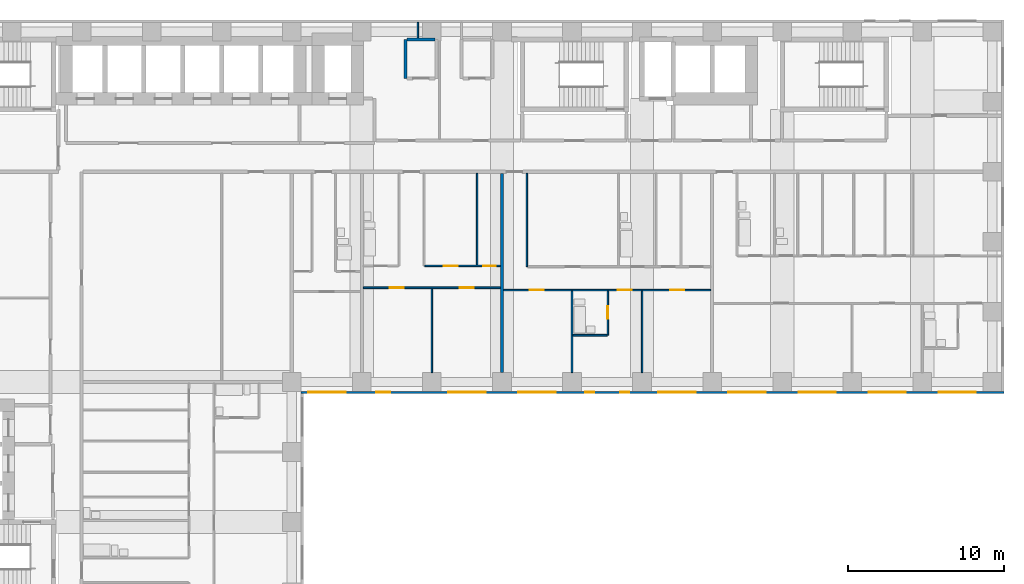
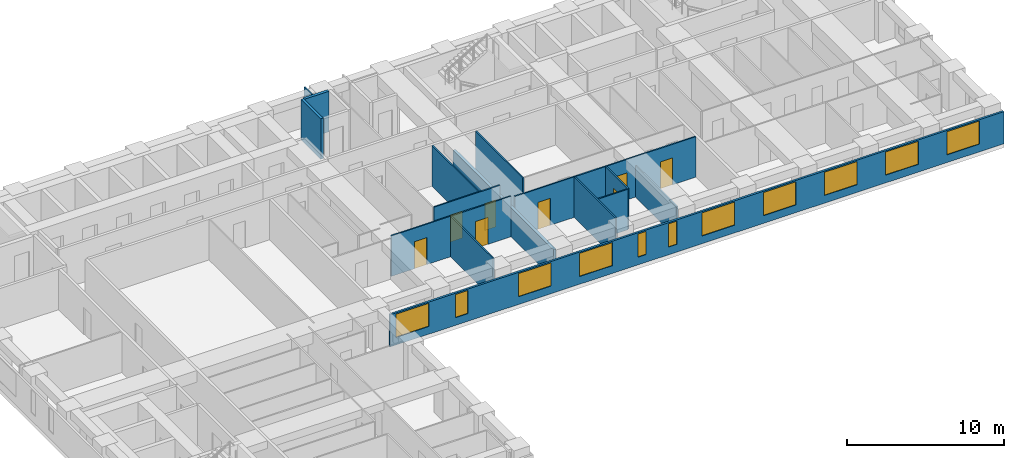
# One storey, part 6 of 13: 15 walls, 11 windows, 8 doors, 19 openings.
"""IFC4 building model written with IfcOpenShell, lengths in metres."""

from ifc_helpers import new_model, si_unit, direction, frame, frame_2d, origin, place, context, subcontext, project, spatial, rectangle, extrude, material, layer, layer_set, type_object, element, fill, save


model = new_model("IFC4")

# Units and contexts
model_context = context("Model", 3, precision=1e-05, world=origin(), true_north=direction((0.0, 1.0)))
body_context = subcontext(model_context, "Body", "Model", "MODEL_VIEW")
ifc_project = project(units=[si_unit("LENGTHUNIT", "METRE"), si_unit("AREAUNIT", "SQUARE_METRE"), si_unit("VOLUMEUNIT", "CUBIC_METRE"), si_unit("PLANEANGLEUNIT", "RADIAN"), si_unit("MASSUNIT", "GRAM", prefix="KILO")], contexts=[model_context])

# Site, building, storey
site_placement = place(None, origin())
site = spatial("IfcSite", under=ifc_project, at=site_placement, CompositionType="ELEMENT")
building_placement = place(site_placement, origin())
building = spatial("IfcBuilding", under=site, at=building_placement, Name="Firuza Court", CompositionType="ELEMENT")
storey_placement = place(building_placement, frame((0.0, 0.0, 104.60009765625)))
storey = spatial("IfcBuildingStorey", under=building, at=storey_placement, Name="L26", CompositionType="ELEMENT", Elevation=104.60009765625)

# Wall
ifc_material_1 = material(Name="Moisture-resistant gypsum board partition")
ifc_layer_1 = layer(ifc_material_1, 0.10009765625)
ifc_layer_set_1 = layer_set([ifc_layer_1], Name="Moisture-resistant gypsum board partition")
wall_type_1 = type_object("IfcWallType", Name="Bathroom partition 100", PredefinedType="PLUMBINGWALL", material=ifc_layer_set_1)
wall_1_placement = place(storey_placement, frame((40.550048828125, 39.0, 0.0), z_axis=(0.0, 0.0, 1.0), x_axis=(1.0, 0.0, 0.0)))
element("IfcWall", 1, at=wall_1_placement, inside=storey, type_object=wall_type_1, Name="Bathroom partition 100 L26", PredefinedType="PLUMBINGWALL", context=body_context, shape_type="SweptSolid", body=[
    extrude(rectangle(XDim=2.199951171875, YDim=0.10009765625, at=frame_2d((1.10009765625, 0.0))), origin(), (0.0, 0.0, 1.0), 3.14990234375),
])

# Wall, opening, door
wall_2_placement = place(storey_placement, frame((42.800048828125, 39.0, 0.0), z_axis=(0.0, 0.0, 1.0), x_axis=(0.0, 1.0, 0.0)))
wall_2 = element("IfcWall", 2, at=wall_2_placement, inside=storey, type_object=wall_type_1, Name="Bathroom partition 100 L26", PredefinedType="PLUMBINGWALL", context=body_context, shape_type="SweptSolid", body=[
    extrude(rectangle(XDim=2.85009765625, YDim=0.10009765625, at=frame_2d((1.425048828125, 0.0))), origin(), (0.0, 0.0, 1.0), 3.14990234375),
])
opening_1_placement = place(wall_2_placement, frame((1.050048828125, 0.0, 0.0)))
opening_1 = element("IfcOpeningElement", 3, at=opening_1_placement, cuts=wall_2, Name="Opening D26043", PredefinedType="OPENING", context=body_context, shape_type="SweptSolid", body=[
    extrude(rectangle(XDim=0.800048828125, YDim=2.10009765625, at=frame_2d((0.39990234375, 1.050048828125))), frame((0.0, 0.06201171875, 0.0), z_axis=(0.0, -1.0, 0.0), x_axis=(1.0, 0.0, 0.0)), (0.0, 0.0, 1.0), 0.1240234375),
])
ifc_material_2 = material(Name="Timber door leaf in hardwood frame", Category="wood")
door_type_1 = type_object("IfcDoorType", Name="Bathroom door 800", OperationType="SINGLE_SWING_LEFT", PredefinedType="DOOR", material=ifc_material_2)
door_1_placement = place(opening_1_placement, origin())
door_1 = element("IfcDoor", 4, at=door_1_placement, inside=storey, type_object=door_type_1, Name="En-suite door", OperationType="SINGLE_SWING_LEFT", OverallHeight=2.10009765625, OverallWidth=0.800048828125, PredefinedType="DOOR", context=body_context, shape_type="SweptSolid", body=[
    extrude(rectangle(XDim=0.800048828125, YDim=2.10009765625, at=frame_2d((0.39990234375, 1.050048828125))), frame((0.0, 0.02490234375, 0.0), z_axis=(0.0, -1.0, 0.0), x_axis=(1.0, 0.0, 0.0)), (0.0, 0.0, 1.0), 0.050048828125),
])
fill(opening_1, door_1)

# Walls
ifc_material_3 = material(Name="Timber stud partition, plasterboard both sides", Category="wood")
ifc_layer_2 = layer(ifc_material_3, 0.10009765625)
ifc_layer_set_2 = layer_set([ifc_layer_2], Name="Timber stud partition, plasterboard both sides")
wall_type_2 = type_object("IfcWallType", Name="Partition wall 100", PredefinedType="PARTITIONING", material=ifc_layer_set_2)
wall_3_placement = place(storey_placement, frame((31.5, 36.60009765625, 0.0), z_axis=(0.0, 0.0, 1.0), x_axis=(0.0, 1.0, 0.0)))
element("IfcWall", 5, at=wall_3_placement, inside=storey, type_object=wall_type_2, Name="Partition wall 100 L26", PredefinedType="PARTITIONING", context=body_context, shape_type="SweptSolid", body=[
    extrude(rectangle(XDim=5.39990234375, YDim=0.10009765625, at=frame_2d((2.699951171875, 0.0))), origin(), (0.0, 0.0, 1.0), 3.14990234375),
])
wall_4_placement = place(storey_placement, frame((40.5, 36.60009765625, 0.0), z_axis=(0.0, 0.0, 1.0), x_axis=(0.0, 1.0, 0.0)))
element("IfcWall", 6, at=wall_4_placement, inside=storey, type_object=wall_type_2, Name="Partition wall 100 L26", PredefinedType="PARTITIONING", context=body_context, shape_type="SweptSolid", body=[
    extrude(rectangle(XDim=5.25, YDim=0.10009765625, at=frame_2d((2.625, 0.0))), origin(), (0.0, 0.0, 1.0), 3.14990234375),
])
wall_5_placement = place(storey_placement, frame((45.0, 36.60009765625, 0.0), z_axis=(0.0, 0.0, 1.0), x_axis=(0.0, 1.0, 0.0)))
element("IfcWall", 7, at=wall_5_placement, inside=storey, type_object=wall_type_2, Name="Partition wall 100 L26", PredefinedType="PARTITIONING", context=body_context, shape_type="SweptSolid", body=[
    extrude(rectangle(XDim=5.25, YDim=0.10009765625, at=frame_2d((2.625, 0.0))), origin(), (0.0, 0.0, 1.0), 2.449951171875),
])

# Wall, openings, doors
wall_6_placement = place(storey_placement, frame((36.10009765625, 41.89990234375, 0.0), z_axis=(0.0, 0.0, 1.0), x_axis=(1.0, 0.0, 0.0)))
wall_6 = element("IfcWall", 8, at=wall_6_placement, inside=storey, type_object=wall_type_2, Name="Partition wall 100 L26", PredefinedType="PARTITIONING", context=body_context, shape_type="SweptSolid", body=[
    extrude(rectangle(XDim=13.2998046875, YDim=0.10009765625, at=frame_2d((6.64990234375, 0.0))), origin(), (0.0, 0.0, 1.0), 3.14990234375),
])
opening_2_placement = place(wall_6_placement, frame((1.699951171875, 0.0, 0.0)))
opening_2 = element("IfcOpeningElement", 9, at=opening_2_placement, cuts=wall_6, Name="Opening D26048", PredefinedType="OPENING", context=body_context, shape_type="SweptSolid", body=[
    extrude(rectangle(XDim=0.89990234375, YDim=2.10009765625, at=frame_2d((0.449951171875, 1.050048828125))), frame((0.0, 0.06201171875, 0.0), z_axis=(0.0, -1.0, 0.0), x_axis=(1.0, 0.0, 0.0)), (0.0, 0.0, 1.0), 0.1240234375),
])
opening_3_placement = place(wall_6_placement, frame((7.35009765625, 0.0, 0.0)))
opening_3 = element("IfcOpeningElement", 10, at=opening_3_placement, cuts=wall_6, Name="Opening D26049", PredefinedType="OPENING", context=body_context, shape_type="SweptSolid", body=[
    extrude(rectangle(XDim=0.89990234375, YDim=2.10009765625, at=frame_2d((0.449951171875, 1.050048828125))), frame((0.0, 0.06201171875, 0.0), z_axis=(0.0, -1.0, 0.0), x_axis=(1.0, 0.0, 0.0)), (0.0, 0.0, 1.0), 0.1240234375),
])
opening_4_placement = place(wall_6_placement, frame((10.699951171875, 0.0, 0.0)))
opening_4 = element("IfcOpeningElement", 11, at=opening_4_placement, cuts=wall_6, Name="Opening D26050", PredefinedType="OPENING", context=body_context, shape_type="SweptSolid", body=[
    extrude(rectangle(XDim=0.89990234375, YDim=2.10009765625, at=frame_2d((0.449951171875, 1.050048828125))), frame((0.0, 0.06201171875, 0.0), z_axis=(0.0, -1.0, 0.0), x_axis=(1.0, 0.0, 0.0)), (0.0, 0.0, 1.0), 0.1240234375),
])
ifc_material_4 = material(Name="Timber door leaf in hardwood frame", Category="wood")
door_type_2 = type_object("IfcDoorType", Name="Room door 900", OperationType="SINGLE_SWING_LEFT", PredefinedType="DOOR", material=ifc_material_4)
door_2_placement = place(opening_2_placement, frame((0.89990234375, 0.0, 0.0), z_axis=(0.0, 0.0, 1.0), x_axis=(-1.0, 0.0, 0.0)))
door_2 = element("IfcDoor", 12, at=door_2_placement, inside=storey, type_object=door_type_2, Name="Living room door", OperationType="SINGLE_SWING_RIGHT", OverallHeight=2.10009765625, OverallWidth=0.89990234375, PredefinedType="DOOR", context=body_context, shape_type="SweptSolid", body=[
    extrude(rectangle(XDim=0.89990234375, YDim=2.10009765625, at=frame_2d((0.449951171875, 1.050048828125))), frame((0.0, 0.02490234375, 0.0), z_axis=(0.0, -1.0, 0.0), x_axis=(1.0, 0.0, 0.0)), (0.0, 0.0, 1.0), 0.050048828125),
])
fill(opening_2, door_2)
door_3_placement = place(opening_3_placement, frame((0.89990234375, 0.0, 0.0), z_axis=(0.0, 0.0, 1.0), x_axis=(-1.0, 0.0, 0.0)))
door_3 = element("IfcDoor", 13, at=door_3_placement, inside=storey, type_object=door_type_2, Name="Bedroom door", OperationType="SINGLE_SWING_LEFT", OverallHeight=2.10009765625, OverallWidth=0.89990234375, PredefinedType="DOOR", context=body_context, shape_type="SweptSolid", body=[
    extrude(rectangle(XDim=0.89990234375, YDim=2.10009765625, at=frame_2d((0.449951171875, 1.050048828125))), frame((0.0, 0.02490234375, 0.0), z_axis=(0.0, -1.0, 0.0), x_axis=(1.0, 0.0, 0.0)), (0.0, 0.0, 1.0), 0.050048828125),
])
fill(opening_3, door_3)
door_4_placement = place(opening_4_placement, frame((0.89990234375, 0.0, 0.0), z_axis=(0.0, 0.0, 1.0), x_axis=(-1.0, 0.0, 0.0)))
door_4 = element("IfcDoor", 14, at=door_4_placement, inside=storey, type_object=door_type_2, Name="Bedroom door", OperationType="SINGLE_SWING_RIGHT", OverallHeight=2.10009765625, OverallWidth=0.89990234375, PredefinedType="DOOR", context=body_context, shape_type="SweptSolid", body=[
    extrude(rectangle(XDim=0.89990234375, YDim=2.10009765625, at=frame_2d((0.449951171875, 1.050048828125))), frame((0.0, 0.02490234375, 0.0), z_axis=(0.0, -1.0, 0.0), x_axis=(1.0, 0.0, 0.0)), (0.0, 0.0, 1.0), 0.050048828125),
])
fill(opening_4, door_4)

wall_7_placement = place(storey_placement, frame((27.10009765625, 42.050048828125, 0.0), z_axis=(0.0, 0.0, 1.0), x_axis=(1.0, 0.0, 0.0)))
wall_7 = element("IfcWall", 15, at=wall_7_placement, inside=storey, type_object=wall_type_2, Name="Partition wall 100 L26", PredefinedType="PARTITIONING", context=body_context, shape_type="SweptSolid", body=[
    extrude(rectangle(XDim=8.7998046875, YDim=0.10009765625, at=frame_2d((4.39990234375, 0.0))), origin(), (0.0, 0.0, 1.0), 3.14990234375),
])
opening_5_placement = place(wall_7_placement, frame((1.699951171875, 0.0, 0.0)))
opening_5 = element("IfcOpeningElement", 16, at=opening_5_placement, cuts=wall_7, Name="Opening D26051", PredefinedType="OPENING", context=body_context, shape_type="SweptSolid", body=[
    extrude(rectangle(XDim=0.89990234375, YDim=2.10009765625, at=frame_2d((0.449951171875, 1.050048828125))), frame((0.0, 0.06201171875, 0.0), z_axis=(0.0, -1.0, 0.0), x_axis=(1.0, 0.0, 0.0)), (0.0, 0.0, 1.0), 0.1240234375),
])
opening_6_placement = place(wall_7_placement, frame((6.199951171875, 0.0, 0.0)))
opening_6 = element("IfcOpeningElement", 17, at=opening_6_placement, cuts=wall_7, Name="Opening D26052", PredefinedType="OPENING", context=body_context, shape_type="SweptSolid", body=[
    extrude(rectangle(XDim=0.89990234375, YDim=2.10009765625, at=frame_2d((0.449951171875, 1.050048828125))), frame((0.0, 0.06201171875, 0.0), z_axis=(0.0, -1.0, 0.0), x_axis=(1.0, 0.0, 0.0)), (0.0, 0.0, 1.0), 0.1240234375),
])
door_5_placement = place(opening_5_placement, frame((0.89990234375, 0.0, 0.0), z_axis=(0.0, 0.0, 1.0), x_axis=(-1.0, 0.0, 0.0)))
door_5 = element("IfcDoor", 18, at=door_5_placement, inside=storey, type_object=door_type_2, Name="Bedroom door", OperationType="SINGLE_SWING_RIGHT", OverallHeight=2.10009765625, OverallWidth=0.89990234375, PredefinedType="DOOR", context=body_context, shape_type="SweptSolid", body=[
    extrude(rectangle(XDim=0.89990234375, YDim=2.10009765625, at=frame_2d((0.449951171875, 1.050048828125))), frame((0.0, 0.02490234375, 0.0), z_axis=(0.0, -1.0, 0.0), x_axis=(1.0, 0.0, 0.0)), (0.0, 0.0, 1.0), 0.050048828125),
])
fill(opening_5, door_5)
door_6_placement = place(opening_6_placement, frame((0.89990234375, 0.0, 0.0), z_axis=(0.0, 0.0, 1.0), x_axis=(-1.0, 0.0, 0.0)))
door_6 = element("IfcDoor", 19, at=door_6_placement, inside=storey, type_object=door_type_2, Name="Living room door", OperationType="SINGLE_SWING_RIGHT", OverallHeight=2.10009765625, OverallWidth=0.89990234375, PredefinedType="DOOR", context=body_context, shape_type="SweptSolid", body=[
    extrude(rectangle(XDim=0.89990234375, YDim=2.10009765625, at=frame_2d((0.449951171875, 1.050048828125))), frame((0.0, 0.02490234375, 0.0), z_axis=(0.0, -1.0, 0.0), x_axis=(1.0, 0.0, 0.0)), (0.0, 0.0, 1.0), 0.050048828125),
])
fill(opening_6, door_6)

# Wall
wall_8_placement = place(storey_placement, frame((37.60009765625, 43.39990234375, 0.0), z_axis=(0.0, 0.0, 1.0), x_axis=(0.0, 1.0, 0.0)))
element("IfcWall", 20, at=wall_8_placement, inside=storey, type_object=wall_type_2, Name="Partition wall 100 L26", PredefinedType="PARTITIONING", context=body_context, shape_type="SweptSolid", body=[
    extrude(rectangle(XDim=6.0, YDim=0.10009765625, at=frame_2d((3.0, 0.0))), origin(), (0.0, 0.0, 1.0), 3.14990234375),
])

# Wall, openings, doors
wall_9_placement = place(storey_placement, frame((31.050048828125, 43.449951171875, 0.0), z_axis=(0.0, 0.0, 1.0), x_axis=(1.0, 0.0, 0.0)))
wall_9 = element("IfcWall", 21, at=wall_9_placement, inside=storey, type_object=wall_type_2, Name="Partition wall 100 L26", PredefinedType="PARTITIONING", context=body_context, shape_type="SweptSolid", body=[
    extrude(rectangle(XDim=4.849853515625, YDim=0.10009765625, at=frame_2d((2.4248046875, 0.0))), origin(), (0.0, 0.0, 1.0), 3.14990234375),
])
opening_7_placement = place(wall_9_placement, frame((1.199951171875, 0.0, 0.0)))
opening_7 = element("IfcOpeningElement", 22, at=opening_7_placement, cuts=wall_9, Name="Opening D26060", PredefinedType="OPENING", context=body_context, shape_type="SweptSolid", body=[
    extrude(rectangle(XDim=0.89990234375, YDim=2.10009765625, at=frame_2d((0.449951171875, 1.050048828125))), frame((0.0, 0.06201171875, 0.0), z_axis=(0.0, -1.0, 0.0), x_axis=(1.0, 0.0, 0.0)), (0.0, 0.0, 1.0), 0.1240234375),
])
opening_8_placement = place(wall_9_placement, frame((3.75, 0.0, 0.0)))
opening_8 = element("IfcOpeningElement", 23, at=opening_8_placement, cuts=wall_9, Name="Opening D26061", PredefinedType="OPENING", context=body_context, shape_type="SweptSolid", body=[
    extrude(rectangle(XDim=0.800048828125, YDim=2.10009765625, at=frame_2d((0.39990234375, 1.050048828125))), frame((0.0, 0.06201171875, 0.0), z_axis=(0.0, -1.0, 0.0), x_axis=(1.0, 0.0, 0.0)), (0.0, 0.0, 1.0), 0.1240234375),
])
ifc_material_5 = material(Name="Timber door leaf in hardwood frame", Category="wood")
door_type_3 = type_object("IfcDoorType", Name="Room door 800", OperationType="SINGLE_SWING_LEFT", PredefinedType="DOOR", material=ifc_material_5)
door_7_placement = place(opening_8_placement, origin())
door_7 = element("IfcDoor", 24, at=door_7_placement, inside=storey, type_object=door_type_3, Name="Store door", OperationType="SINGLE_SWING_LEFT", OverallHeight=2.10009765625, OverallWidth=0.800048828125, PredefinedType="DOOR", context=body_context, shape_type="SweptSolid", body=[
    extrude(rectangle(XDim=0.800048828125, YDim=2.10009765625, at=frame_2d((0.39990234375, 1.050048828125))), frame((0.0, 0.02490234375, 0.0), z_axis=(0.0, -1.0, 0.0), x_axis=(1.0, 0.0, 0.0)), (0.0, 0.0, 1.0), 0.050048828125),
])
fill(opening_8, door_7)
door_8_placement = place(opening_7_placement, origin())
door_8 = element("IfcDoor", 25, at=door_8_placement, inside=storey, type_object=door_type_2, Name="Kitchen door", OperationType="SINGLE_SWING_LEFT", OverallHeight=2.10009765625, OverallWidth=0.89990234375, PredefinedType="DOOR", context=body_context, shape_type="SweptSolid", body=[
    extrude(rectangle(XDim=0.89990234375, YDim=2.10009765625, at=frame_2d((0.449951171875, 1.050048828125))), frame((0.0, 0.02490234375, 0.0), z_axis=(0.0, -1.0, 0.0), x_axis=(1.0, 0.0, 0.0)), (0.0, 0.0, 1.0), 0.050048828125),
])
fill(opening_7, door_8)

# Walls
wall_10_placement = place(storey_placement, frame((34.39990234375, 43.5, 0.0), z_axis=(0.0, 0.0, 1.0), x_axis=(0.0, 1.0, 0.0)))
element("IfcWall", 26, at=wall_10_placement, inside=storey, type_object=wall_type_2, Name="Partition wall 100 L26", PredefinedType="PARTITIONING", context=body_context, shape_type="SweptSolid", body=[
    extrude(rectangle(XDim=5.89990234375, YDim=0.10009765625, at=frame_2d((2.949951171875, 0.0))), origin(), (0.0, 0.0, 1.0), 3.14990234375),
])
wall_11_placement = place(storey_placement, frame((30.60009765625, 58.10009765625, 0.0), z_axis=(0.0, 0.0, 1.0), x_axis=(0.0, 1.0, 0.0)))
element("IfcWall", 27, at=wall_11_placement, inside=storey, type_object=wall_type_2, Name="Partition wall 100 L26", PredefinedType="PARTITIONING", context=body_context, shape_type="SweptSolid", body=[
    extrude(rectangle(XDim=1.0, YDim=0.10009765625, at=frame_2d((0.5, 0.0))), origin(), (0.0, 0.0, 1.0), 3.14990234375),
])
ifc_material_6 = material(Name="Blockwork, plastered both sides", Category="masonry")
ifc_layer_3 = layer(ifc_material_6, 0.199951171875)
ifc_layer_set_3 = layer_set([ifc_layer_3], Name="Blockwork, plastered both sides")
wall_type_3 = type_object("IfcWallType", Name="Party wall 200", PredefinedType="PARTITIONING", material=ifc_layer_set_3)
wall_12_placement = place(storey_placement, frame((36.0, 36.60009765625, 0.0), z_axis=(0.0, 0.0, 1.0), x_axis=(0.0, 1.0, 0.0)))
element("IfcWall", 28, at=wall_12_placement, inside=storey, type_object=wall_type_3, Name="Party wall 200 L26", PredefinedType="PARTITIONING", context=body_context, shape_type="SweptSolid", body=[
    extrude(rectangle(XDim=12.7998046875, YDim=0.199951171875, at=frame_2d((6.39990234375, 0.0))), origin(), (0.0, 0.0, 1.0), 2.25),
])
ifc_material_7 = material(Name="Blockwork, fire-rated", Category="masonry")
ifc_layer_4 = layer(ifc_material_7, 0.199951171875)
ifc_layer_set_4 = layer_set([ifc_layer_4], Name="Blockwork, fire-rated")
wall_type_4 = type_object("IfcWallType", Name="Plant room wall 200", PredefinedType="PARTITIONING", material=ifc_layer_set_4)
wall_13_placement = place(storey_placement, frame((29.800048828125, 55.5, 0.0), z_axis=(0.0, 0.0, 1.0), x_axis=(0.0, 1.0, 0.0)))
element("IfcWall", 29, at=wall_13_placement, inside=storey, type_object=wall_type_4, Name="Plant room wall 200 L26", PredefinedType="PARTITIONING", context=body_context, shape_type="SweptSolid", body=[
    extrude(rectangle(XDim=2.5, YDim=0.199951171875, at=frame_2d((1.25, 0.0))), origin(), (0.0, 0.0, 1.0), 3.14990234375),
])
wall_14_placement = place(storey_placement, frame((29.89990234375, 58.0, 0.0), z_axis=(0.0, 0.0, 1.0), x_axis=(1.0, 0.0, 0.0)))
element("IfcWall", 30, at=wall_14_placement, inside=storey, type_object=wall_type_4, Name="Plant room wall 200 L26", PredefinedType="PARTITIONING", context=body_context, shape_type="SweptSolid", body=[
    extrude(rectangle(XDim=1.800048828125, YDim=0.199951171875, at=frame_2d((0.89990234375, 0.0))), origin(), (0.0, 0.0, 1.0), 3.14990234375),
])

# Wall, openings, windows
ifc_material_8 = material(Name="Ceramic tile", Category="ceramic")
ifc_layer_5 = layer(ifc_material_8, 0.02001953125)
ifc_material_9 = material(Name="Mineral wool insulation", Category="insulation")
ifc_layer_6 = layer(ifc_material_9, 0.050048828125)
ifc_material_10 = material(Name="Concrete C40/50 precast", Category="concrete")
ifc_layer_7 = layer(ifc_material_10, 0.080078125)
ifc_layer_set_5 = layer_set([ifc_layer_5, ifc_layer_6, ifc_layer_7], Name="Concrete C40/50 precast")
wall_type_5 = type_object("IfcWallType", Name="Precast cladding wall with turquoise TILE PANEL face 150", PredefinedType="STANDARD", material=ifc_layer_set_5)
wall_15_placement = place(storey_placement, frame((23.10009765625, 35.324951171875, 0.0), z_axis=(0.0, 0.0, 1.0), x_axis=(1.0, 0.0, 0.0)))
wall_15 = element("IfcWall", 31, at=wall_15_placement, inside=storey, type_object=wall_type_5, Name="Facade wall L26 S", PredefinedType="STANDARD", context=body_context, shape_type="SweptSolid", body=[
    extrude(rectangle(XDim=45.14990234375, YDim=0.14990234375, at=frame_2d((22.574951171875, 0.0))), origin(), (0.0, 0.0, 1.0), 2.5),
])
opening_9_placement = place(wall_15_placement, frame((0.449951171875, 0.0, 0.60009765625)))
opening_9 = element("IfcOpeningElement", 32, at=opening_9_placement, cuts=wall_15, Name="Opening W1", PredefinedType="OPENING", context=body_context, shape_type="SweptSolid", body=[
    extrude(rectangle(XDim=2.39990234375, YDim=1.800048828125, at=frame_2d((1.199951171875, 0.89990234375))), frame((0.0, 0.0869140625, 0.0), z_axis=(0.0, -1.0, 0.0), x_axis=(1.0, 0.0, 0.0)), (0.0, 0.0, 1.0), 0.173828125),
])
opening_10_placement = place(wall_15_placement, frame((4.831298828125, 0.0, 0.60009765625)))
opening_10 = element("IfcOpeningElement", 33, at=opening_10_placement, cuts=wall_15, Name="Opening W3", PredefinedType="OPENING", context=body_context, shape_type="SweptSolid", body=[
    extrude(rectangle(XDim=0.89990234375, YDim=1.800048828125, at=frame_2d((0.449951171875, 0.89990234375))), frame((0.0, 0.0869140625, 0.0), z_axis=(0.0, -1.0, 0.0), x_axis=(1.0, 0.0, 0.0)), (0.0, 0.0, 1.0), 0.173828125),
])
opening_11_placement = place(wall_15_placement, frame((9.449951171875, 0.0, 0.60009765625)))
opening_11 = element("IfcOpeningElement", 34, at=opening_11_placement, cuts=wall_15, Name="Opening W1", PredefinedType="OPENING", context=body_context, shape_type="SweptSolid", body=[
    extrude(rectangle(XDim=2.39990234375, YDim=1.800048828125, at=frame_2d((1.199951171875, 0.89990234375))), frame((0.0, 0.0869140625, 0.0), z_axis=(0.0, -1.0, 0.0), x_axis=(1.0, 0.0, 0.0)), (0.0, 0.0, 1.0), 0.173828125),
])
opening_12_placement = place(wall_15_placement, frame((13.949951171875, 0.0, 0.60009765625)))
opening_12 = element("IfcOpeningElement", 35, at=opening_12_placement, cuts=wall_15, Name="Opening W1", PredefinedType="OPENING", context=body_context, shape_type="SweptSolid", body=[
    extrude(rectangle(XDim=2.39990234375, YDim=1.800048828125, at=frame_2d((1.199951171875, 0.89990234375))), frame((0.0, 0.0869140625, 0.0), z_axis=(0.0, -1.0, 0.0), x_axis=(1.0, 0.0, 0.0)), (0.0, 0.0, 1.0), 0.173828125),
])
opening_13_placement = place(wall_15_placement, frame((18.234375, 0.0, 0.60009765625)))
opening_13 = element("IfcOpeningElement", 36, at=opening_13_placement, cuts=wall_15, Name="Opening W4", PredefinedType="OPENING", context=body_context, shape_type="SweptSolid", body=[
    extrude(rectangle(XDim=0.60009765625, YDim=1.800048828125, at=frame_2d((0.300048828125, 0.89990234375))), frame((0.0, 0.0869140625, 0.0), z_axis=(0.0, -1.0, 0.0), x_axis=(1.0, 0.0, 0.0)), (0.0, 0.0, 1.0), 0.173828125),
])
opening_14_placement = place(wall_15_placement, frame((20.491943359375, 0.0, 0.60009765625)))
opening_14 = element("IfcOpeningElement", 37, at=opening_14_placement, cuts=wall_15, Name="Opening W4", PredefinedType="OPENING", context=body_context, shape_type="SweptSolid", body=[
    extrude(rectangle(XDim=0.60009765625, YDim=1.800048828125, at=frame_2d((0.300048828125, 0.89990234375))), frame((0.0, 0.0869140625, 0.0), z_axis=(0.0, -1.0, 0.0), x_axis=(1.0, 0.0, 0.0)), (0.0, 0.0, 1.0), 0.173828125),
])
opening_15_placement = place(wall_15_placement, frame((22.949951171875, 0.0, 0.60009765625)))
opening_15 = element("IfcOpeningElement", 38, at=opening_15_placement, cuts=wall_15, Name="Opening W1", PredefinedType="OPENING", context=body_context, shape_type="SweptSolid", body=[
    extrude(rectangle(XDim=2.39990234375, YDim=1.800048828125, at=frame_2d((1.199951171875, 0.89990234375))), frame((0.0, 0.0869140625, 0.0), z_axis=(0.0, -1.0, 0.0), x_axis=(1.0, 0.0, 0.0)), (0.0, 0.0, 1.0), 0.173828125),
])
opening_16_placement = place(wall_15_placement, frame((27.449951171875, 0.0, 0.60009765625)))
opening_16 = element("IfcOpeningElement", 39, at=opening_16_placement, cuts=wall_15, Name="Opening W1", PredefinedType="OPENING", context=body_context, shape_type="SweptSolid", body=[
    extrude(rectangle(XDim=2.39990234375, YDim=1.800048828125, at=frame_2d((1.199951171875, 0.89990234375))), frame((0.0, 0.0869140625, 0.0), z_axis=(0.0, -1.0, 0.0), x_axis=(1.0, 0.0, 0.0)), (0.0, 0.0, 1.0), 0.173828125),
])
opening_17_placement = place(wall_15_placement, frame((31.949951171875, 0.0, 0.60009765625)))
opening_17 = element("IfcOpeningElement", 40, at=opening_17_placement, cuts=wall_15, Name="Opening W1", PredefinedType="OPENING", context=body_context, shape_type="SweptSolid", body=[
    extrude(rectangle(XDim=2.39990234375, YDim=1.800048828125, at=frame_2d((1.199951171875, 0.89990234375))), frame((0.0, 0.0869140625, 0.0), z_axis=(0.0, -1.0, 0.0), x_axis=(1.0, 0.0, 0.0)), (0.0, 0.0, 1.0), 0.173828125),
])
opening_18_placement = place(wall_15_placement, frame((36.449951171875, 0.0, 0.60009765625)))
opening_18 = element("IfcOpeningElement", 41, at=opening_18_placement, cuts=wall_15, Name="Opening W1", PredefinedType="OPENING", context=body_context, shape_type="SweptSolid", body=[
    extrude(rectangle(XDim=2.39990234375, YDim=1.800048828125, at=frame_2d((1.199951171875, 0.89990234375))), frame((0.0, 0.0869140625, 0.0), z_axis=(0.0, -1.0, 0.0), x_axis=(1.0, 0.0, 0.0)), (0.0, 0.0, 1.0), 0.173828125),
])
opening_19_placement = place(wall_15_placement, frame((40.949951171875, 0.0, 0.60009765625)))
opening_19 = element("IfcOpeningElement", 42, at=opening_19_placement, cuts=wall_15, Name="Opening W1", PredefinedType="OPENING", context=body_context, shape_type="SweptSolid", body=[
    extrude(rectangle(XDim=2.39990234375, YDim=1.800048828125, at=frame_2d((1.199951171875, 0.89990234375))), frame((0.0, 0.0869140625, 0.0), z_axis=(0.0, -1.0, 0.0), x_axis=(1.0, 0.0, 0.0)), (0.0, 0.0, 1.0), 0.173828125),
])
ifc_material_11 = material(Name="Aluminium frame, triple clear glazing", Category="aluminium")
window_type_1 = type_object("IfcWindowType", Name="Window W1 2400 x 1800", PartitioningType="SINGLE_PANEL", PredefinedType="WINDOW", material=ifc_material_11)
window_1_placement = place(opening_9_placement, origin())
window_1 = element("IfcWindow", 43, at=window_1_placement, inside=storey, type_object=window_type_1, Name="Window L26", OverallHeight=1.800048828125, OverallWidth=2.39990234375, PartitioningType="SINGLE_PANEL", PredefinedType="WINDOW", context=body_context, shape_type="SweptSolid", body=[
    extrude(rectangle(XDim=2.39990234375, YDim=1.800048828125, at=frame_2d((1.199951171875, 0.89990234375))), frame((0.0, 0.030029296875, 0.0), z_axis=(0.0, -1.0, 0.0), x_axis=(1.0, 0.0, 0.0)), (0.0, 0.0, 1.0), 0.06005859375),
])
fill(opening_9, window_1)
window_2_placement = place(opening_11_placement, origin())
window_2 = element("IfcWindow", 44, at=window_2_placement, inside=storey, type_object=window_type_1, Name="Window L26", OverallHeight=1.800048828125, OverallWidth=2.39990234375, PartitioningType="SINGLE_PANEL", PredefinedType="WINDOW", context=body_context, shape_type="SweptSolid", body=[
    extrude(rectangle(XDim=2.39990234375, YDim=1.800048828125, at=frame_2d((1.199951171875, 0.89990234375))), frame((0.0, 0.030029296875, 0.0), z_axis=(0.0, -1.0, 0.0), x_axis=(1.0, 0.0, 0.0)), (0.0, 0.0, 1.0), 0.06005859375),
])
fill(opening_11, window_2)
window_3_placement = place(opening_12_placement, origin())
window_3 = element("IfcWindow", 45, at=window_3_placement, inside=storey, type_object=window_type_1, Name="Window L26", OverallHeight=1.800048828125, OverallWidth=2.39990234375, PartitioningType="SINGLE_PANEL", PredefinedType="WINDOW", context=body_context, shape_type="SweptSolid", body=[
    extrude(rectangle(XDim=2.39990234375, YDim=1.800048828125, at=frame_2d((1.199951171875, 0.89990234375))), frame((0.0, 0.030029296875, 0.0), z_axis=(0.0, -1.0, 0.0), x_axis=(1.0, 0.0, 0.0)), (0.0, 0.0, 1.0), 0.06005859375),
])
fill(opening_12, window_3)
window_4_placement = place(opening_15_placement, origin())
window_4 = element("IfcWindow", 46, at=window_4_placement, inside=storey, type_object=window_type_1, Name="Window L26", OverallHeight=1.800048828125, OverallWidth=2.39990234375, PartitioningType="SINGLE_PANEL", PredefinedType="WINDOW", context=body_context, shape_type="SweptSolid", body=[
    extrude(rectangle(XDim=2.39990234375, YDim=1.800048828125, at=frame_2d((1.199951171875, 0.89990234375))), frame((0.0, 0.030029296875, 0.0), z_axis=(0.0, -1.0, 0.0), x_axis=(1.0, 0.0, 0.0)), (0.0, 0.0, 1.0), 0.06005859375),
])
fill(opening_15, window_4)
window_5_placement = place(opening_16_placement, origin())
window_5 = element("IfcWindow", 47, at=window_5_placement, inside=storey, type_object=window_type_1, Name="Window L26", OverallHeight=1.800048828125, OverallWidth=2.39990234375, PartitioningType="SINGLE_PANEL", PredefinedType="WINDOW", context=body_context, shape_type="SweptSolid", body=[
    extrude(rectangle(XDim=2.39990234375, YDim=1.800048828125, at=frame_2d((1.199951171875, 0.89990234375))), frame((0.0, 0.030029296875, 0.0), z_axis=(0.0, -1.0, 0.0), x_axis=(1.0, 0.0, 0.0)), (0.0, 0.0, 1.0), 0.06005859375),
])
fill(opening_16, window_5)
window_6_placement = place(opening_17_placement, origin())
window_6 = element("IfcWindow", 48, at=window_6_placement, inside=storey, type_object=window_type_1, Name="Window L26", OverallHeight=1.800048828125, OverallWidth=2.39990234375, PartitioningType="SINGLE_PANEL", PredefinedType="WINDOW", context=body_context, shape_type="SweptSolid", body=[
    extrude(rectangle(XDim=2.39990234375, YDim=1.800048828125, at=frame_2d((1.199951171875, 0.89990234375))), frame((0.0, 0.030029296875, 0.0), z_axis=(0.0, -1.0, 0.0), x_axis=(1.0, 0.0, 0.0)), (0.0, 0.0, 1.0), 0.06005859375),
])
fill(opening_17, window_6)
window_7_placement = place(opening_18_placement, origin())
window_7 = element("IfcWindow", 49, at=window_7_placement, inside=storey, type_object=window_type_1, Name="Window L26", OverallHeight=1.800048828125, OverallWidth=2.39990234375, PartitioningType="SINGLE_PANEL", PredefinedType="WINDOW", context=body_context, shape_type="SweptSolid", body=[
    extrude(rectangle(XDim=2.39990234375, YDim=1.800048828125, at=frame_2d((1.199951171875, 0.89990234375))), frame((0.0, 0.030029296875, 0.0), z_axis=(0.0, -1.0, 0.0), x_axis=(1.0, 0.0, 0.0)), (0.0, 0.0, 1.0), 0.06005859375),
])
fill(opening_18, window_7)
window_8_placement = place(opening_19_placement, origin())
window_8 = element("IfcWindow", 50, at=window_8_placement, inside=storey, type_object=window_type_1, Name="Window L26", OverallHeight=1.800048828125, OverallWidth=2.39990234375, PartitioningType="SINGLE_PANEL", PredefinedType="WINDOW", context=body_context, shape_type="SweptSolid", body=[
    extrude(rectangle(XDim=2.39990234375, YDim=1.800048828125, at=frame_2d((1.199951171875, 0.89990234375))), frame((0.0, 0.030029296875, 0.0), z_axis=(0.0, -1.0, 0.0), x_axis=(1.0, 0.0, 0.0)), (0.0, 0.0, 1.0), 0.06005859375),
])
fill(opening_19, window_8)
ifc_material_12 = material(Name="Aluminium frame, triple clear glazing", Category="aluminium")
window_type_2 = type_object("IfcWindowType", Name="Window W3 900 x 1800", PartitioningType="SINGLE_PANEL", PredefinedType="WINDOW", material=ifc_material_12)
window_9_placement = place(opening_10_placement, origin())
window_9 = element("IfcWindow", 51, at=window_9_placement, inside=storey, type_object=window_type_2, Name="Window L26", OverallHeight=1.800048828125, OverallWidth=0.89990234375, PartitioningType="SINGLE_PANEL", PredefinedType="WINDOW", context=body_context, shape_type="SweptSolid", body=[
    extrude(rectangle(XDim=0.89990234375, YDim=1.800048828125, at=frame_2d((0.449951171875, 0.89990234375))), frame((0.0, 0.030029296875, 0.0), z_axis=(0.0, -1.0, 0.0), x_axis=(1.0, 0.0, 0.0)), (0.0, 0.0, 1.0), 0.06005859375),
])
fill(opening_10, window_9)
ifc_material_13 = material(Name="Aluminium frame, triple clear glazing", Category="aluminium")
window_type_3 = type_object("IfcWindowType", Name="Window W4 600 x 1800", PartitioningType="SINGLE_PANEL", PredefinedType="WINDOW", material=ifc_material_13)
window_10_placement = place(opening_13_placement, origin())
window_10 = element("IfcWindow", 52, at=window_10_placement, inside=storey, type_object=window_type_3, Name="Window L26", OverallHeight=1.800048828125, OverallWidth=0.60009765625, PartitioningType="SINGLE_PANEL", PredefinedType="WINDOW", context=body_context, shape_type="SweptSolid", body=[
    extrude(rectangle(XDim=0.60009765625, YDim=1.800048828125, at=frame_2d((0.300048828125, 0.89990234375))), frame((0.0, 0.030029296875, 0.0), z_axis=(0.0, -1.0, 0.0), x_axis=(1.0, 0.0, 0.0)), (0.0, 0.0, 1.0), 0.06005859375),
])
fill(opening_13, window_10)
window_11_placement = place(opening_14_placement, origin())
window_11 = element("IfcWindow", 53, at=window_11_placement, inside=storey, type_object=window_type_3, Name="Window L26", OverallHeight=1.800048828125, OverallWidth=0.60009765625, PartitioningType="SINGLE_PANEL", PredefinedType="WINDOW", context=body_context, shape_type="SweptSolid", body=[
    extrude(rectangle(XDim=0.60009765625, YDim=1.800048828125, at=frame_2d((0.300048828125, 0.89990234375))), frame((0.0, 0.030029296875, 0.0), z_axis=(0.0, -1.0, 0.0), x_axis=(1.0, 0.0, 0.0)), (0.0, 0.0, 1.0), 0.06005859375),
])
fill(opening_14, window_11)

save(model, "model.ifc")
